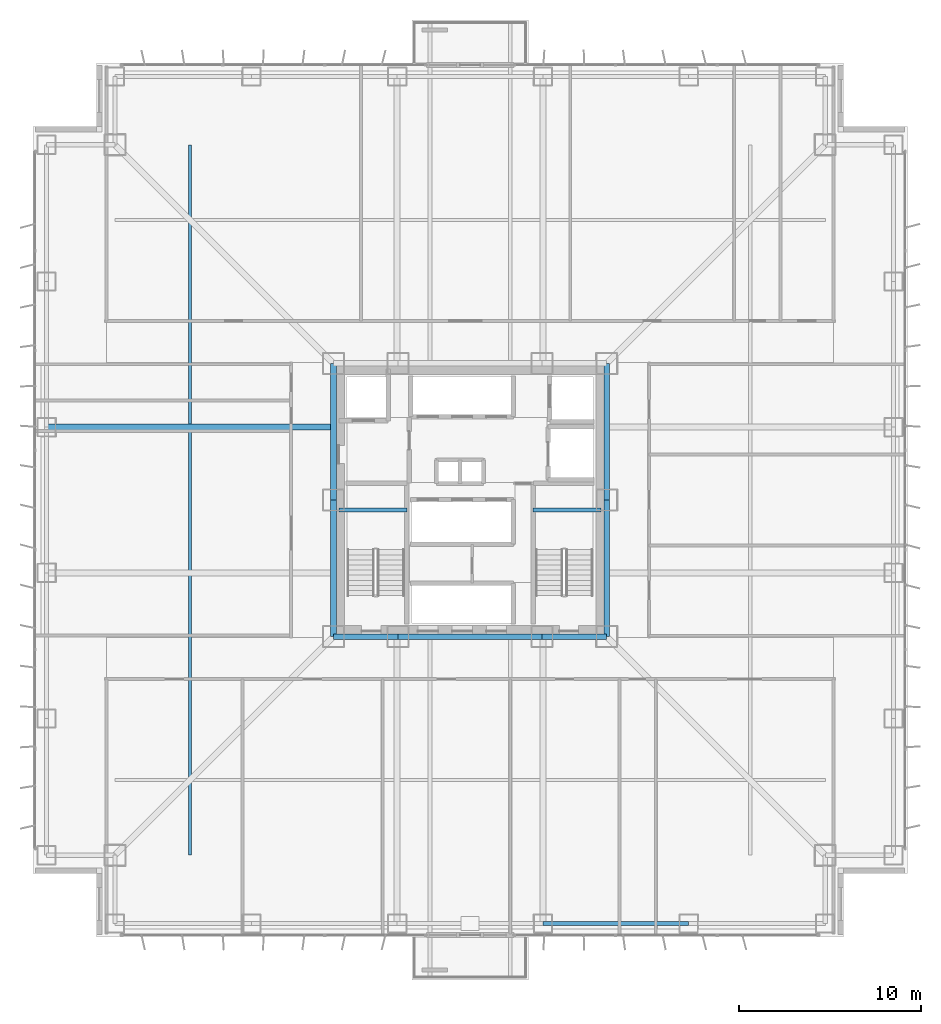
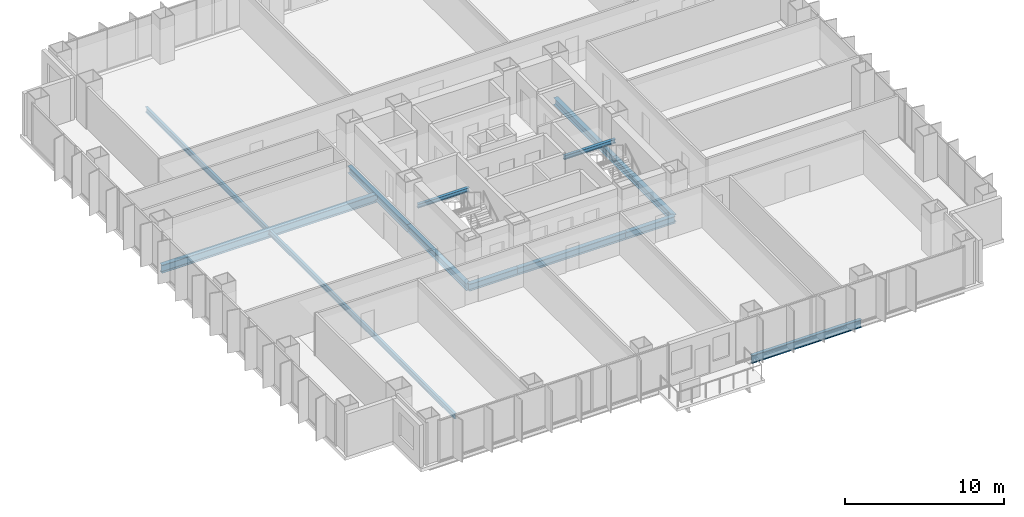
# One storey, part 5 of 21: 12 beams.
"""IFC4 building model written with IfcOpenShell, lengths in metres."""

import ifcopenshell
import ifcopenshell.guid

model = None  # the IFC model being written
_history = None  # IfcOwnerHistory: only IFC2X3 demands one
_inside = {}  # id of a spatial element -> (the spatial element, [elements in it])
_under = {}  # id of a project, library or spatial element -> (it, [spatial elements below it])
_declared = {}  # id of a project -> (the project, [libraries it declares])
_typed = {}  # id of a type object -> (the type object, [elements of that type])
_made_of = {}  # id of a material, layer set ... -> (it, [elements and type objects made of it])


def new_model(schema):
    """Start an empty IFC model of exactly this schema.

    Asked for "IFC4X3", IfcOpenShell would pick the latest addendum, in which some entities
    have other attributes; the version numbers below select the first issue.
    IFC2X3 requires an IfcOwnerHistory on every rooted entity: one is made here for all.
    """
    global model, _history
    if schema == "IFC4X3":
        model = ifcopenshell.file(schema_version=(4, 3, 0, 0))
    else:
        model = ifcopenshell.file(schema=schema)
    _inside.clear()
    _under.clear()
    _declared.clear()
    _typed.clear()
    _made_of.clear()
    _history = None
    if model.schema == "IFC2X3":
        org = make("IfcOrganization", Name="unknown")
        user = make(
            "IfcPersonAndOrganization",
            ThePerson=make("IfcPerson", FamilyName="unknown"),
            TheOrganization=org,
        )
        app = make(
            "IfcApplication",
            ApplicationDeveloper=org,
            Version="unknown",
            ApplicationFullName="unknown",
            ApplicationIdentifier="unknown",
        )
        _history = make(
            "IfcOwnerHistory",
            OwningUser=user,
            OwningApplication=app,
            ChangeAction="ADDED",
            CreationDate=0,
        )
    return model


def make(cls, **values):
    """One entity of the class cls with the attributes given. An attribute that is None is left unset."""
    return model.create_entity(
        cls, **{name: value for name, value in values.items() if value is not None}
    )


def rooted(cls, **values):
    """An entity with a GlobalId (a new one), such as an element, a storey or a relation."""
    return make(cls, GlobalId=ifcopenshell.guid.new(), OwnerHistory=_history, **values)


def si_unit(unit_type, name, prefix=None):
    """IfcSIUnit, for example si_unit("LENGTHUNIT", "METRE", prefix="MILLI")."""
    return make("IfcSIUnit", UnitType=unit_type, Prefix=prefix, Name=name)


def assignment(units):
    """IfcUnitAssignment: the units of a project."""
    return None if units is None else make("IfcUnitAssignment", Units=units)


def point(xyz):
    """IfcCartesianPoint."""
    return None if xyz is None else make("IfcCartesianPoint", Coordinates=xyz)


def direction(xyz):
    """IfcDirection."""
    return None if xyz is None else make("IfcDirection", DirectionRatios=xyz)


def frame(location, z_axis=None, x_axis=None):
    """IfcAxis2Placement3D, a coordinate frame: its origin and axes. An axis left out is left unset."""
    return make(
        "IfcAxis2Placement3D",
        Location=point(location),
        Axis=direction(z_axis),
        RefDirection=direction(x_axis),
    )


def frame_2d(location, x_axis=None):
    """IfcAxis2Placement2D, a coordinate frame in the plane: its origin and x axis."""
    return make(
        "IfcAxis2Placement2D", Location=point(location), RefDirection=direction(x_axis)
    )


def origin():
    """The frame at (0, 0, 0) with its axes left unset."""
    return frame((0.0, 0.0, 0.0))


def origin_2d():
    """The frame at (0, 0) in the plane with its x axis left unset."""
    return frame_2d((0.0, 0.0))


def place(relative_to, where):
    """IfcLocalPlacement: puts the frame where relative to a parent placement (None: the world)."""
    return make(
        "IfcLocalPlacement", PlacementRelTo=relative_to, RelativePlacement=where
    )


def context(
    kind, dimensions, precision=None, world=None, true_north=None, identifier=None
):
    """IfcGeometricRepresentationContext, for example the 3D "Model" context."""
    return make(
        "IfcGeometricRepresentationContext",
        ContextIdentifier=identifier,
        ContextType=kind,
        CoordinateSpaceDimension=dimensions,
        Precision=precision,
        WorldCoordinateSystem=world,
        TrueNorth=true_north,
    )


def subcontext(parent, identifier, kind, view, scale=None):
    """IfcGeometricRepresentationSubContext, for example "Body" below "Model"."""
    return make(
        "IfcGeometricRepresentationSubContext",
        ContextIdentifier=identifier,
        ContextType=kind,
        ParentContext=parent,
        TargetScale=scale,
        TargetView=view,
    )


def project(units=None, contexts=None):
    """IfcProject with its units and contexts."""
    return rooted(
        "IfcProject",
        Name="project",
        RepresentationContexts=contexts,
        UnitsInContext=assignment(units),
    )


def spatial(cls, under=None, at=None, **own):
    """A site, building, storey or space (cls), placed at a placement, below another one or the project."""
    s = rooted(cls, ObjectPlacement=at, **own)
    if under is not None:
        _under.setdefault(under.id(), (under, []))[1].append(s)
    return s


def profile(cls, at=None, kind="AREA", **sizes):
    """A parametric profile (cls). Its sizes go by their IFC names, for example OverallWidth=200.0."""
    return make(cls, ProfileType=kind, Position=at, **sizes)


def i_section(**sizes):
    """IfcIShapeProfileDef."""
    return profile("IfcIShapeProfileDef", **sizes)


def extrude(swept, where, along, depth):
    """IfcExtrudedAreaSolid: the profile swept, set in the frame where, extruded along a direction by depth."""
    return make(
        "IfcExtrudedAreaSolid",
        SweptArea=swept,
        Position=where,
        ExtrudedDirection=direction(along),
        Depth=depth,
    )


def shape(context_of_items, identifier, shape_type, items):
    """IfcShapeRepresentation: the items that make up one representation, for example the "Body"."""
    return make(
        "IfcShapeRepresentation",
        ContextOfItems=context_of_items,
        RepresentationIdentifier=identifier,
        RepresentationType=shape_type,
        Items=items,
    )


def material(Name=None, Category=None):
    """IfcMaterial."""
    return make("IfcMaterial", Name=Name, Category=Category)


def material_profile(
    of_material, cross_section, Name=None, Category=None, Priority=None
):
    """IfcMaterialProfile: a cross section and its material."""
    return make(
        "IfcMaterialProfile",
        Name=Name,
        Material=of_material,
        Profile=cross_section,
        Priority=Priority,
        Category=Category,
    )


def profile_set(profiles, Name=None, composite=None):
    """IfcMaterialProfileSet."""
    return make(
        "IfcMaterialProfileSet",
        Name=Name,
        MaterialProfiles=profiles,
        CompositeProfile=composite,
    )


def made_of(thing, what):
    """Note that an element or type object is made of a material, layer set ...; save() writes the relation."""
    if what is not None:
        _made_of.setdefault(what.id(), (what, []))[1].append(thing)
    return thing


def type_object(cls, material=None, **own):
    """A type object (cls), such as IfcWallType, which elements share."""
    return made_of(rooted(cls, **own), material)


def element(
    cls,
    number,
    at=None,
    inside=None,
    cuts=None,
    type_object=None,
    material=None,
    context=None,
    identifier="Body",
    shape_type=None,
    held_by="IfcProductDefinitionShape",
    body=None,
    shapes=None,
    **own,
):
    """One element of the class cls, such as IfcWall. Its Tag is "e" and its number.

    at: its placement. inside: the storey or other place that contains it. cuts: it is an
    opening in that element (IfcRelVoidsElement). A single representation is given by context,
    identifier, shape_type and body (its items); several are given by shapes. held_by: the class
    of the entity that holds the representations. save() writes the other relations.
    """
    e = rooted(cls, Tag="e%d" % number, ObjectPlacement=at, **own)
    if body is not None:
        shapes = [shape(context, identifier, shape_type, body)]
    if shapes is not None:
        e.Representation = make(held_by, Representations=shapes)
    if inside is not None:
        _inside.setdefault(inside.id(), (inside, []))[1].append(e)
    if cuts is not None:
        rooted(
            "IfcRelVoidsElement", RelatingBuildingElement=cuts, RelatedOpeningElement=e
        )
    if type_object is not None:
        _typed.setdefault(type_object.id(), (type_object, []))[1].append(e)
    return made_of(e, material)


def aggregate(whole, parts):
    """IfcRelAggregates: a whole, such as a stair, and the parts it consists of."""
    return rooted("IfcRelAggregates", RelatingObject=whole, RelatedObjects=parts)


def save(model, path):
    """Write the relations noted so far, then the file.

    IfcRelAggregates (storeys below a building ...), IfcRelContainedInSpatialStructure (elements
    in a storey), IfcRelDefinesByType, IfcRelAssociatesMaterial and IfcRelDeclares: one each for
    every whole, place, type object, material and project.
    """
    for whole, parts in _under.values():
        aggregate(whole, parts)
    for where, things in _inside.values():
        rooted(
            "IfcRelContainedInSpatialStructure",
            RelatedElements=things,
            RelatingStructure=where,
        )
    for kind, things in _typed.values():
        rooted("IfcRelDefinesByType", RelatedObjects=things, RelatingType=kind)
    for what, things in _made_of.values():
        rooted("IfcRelAssociatesMaterial", RelatedObjects=things, RelatingMaterial=what)
    for by, libraries in _declared.values():
        rooted("IfcRelDeclares", RelatingContext=by, RelatedDefinitions=libraries)
    model.write(path)


model = new_model("IFC4")

# Units and contexts
model_context = context("Model", 3, precision=1e-05, world=origin(), true_north=direction((0.0, 1.0)))
body_context = subcontext(model_context, "Body", "Model", "MODEL_VIEW")
ifc_project = project(units=[si_unit("LENGTHUNIT", "METRE"), si_unit("AREAUNIT", "SQUARE_METRE"), si_unit("VOLUMEUNIT", "CUBIC_METRE"), si_unit("PLANEANGLEUNIT", "RADIAN"), si_unit("MASSUNIT", "GRAM", prefix="KILO")], contexts=[model_context])

# Site, building, storey
site_placement = place(None, origin())
site = spatial("IfcSite", under=ifc_project, at=site_placement, CompositionType="ELEMENT")
building_placement = place(site_placement, origin())
building = spatial("IfcBuilding", under=site, at=building_placement, Name="Trevonay Congress Spire", CompositionType="ELEMENT")
storey_placement = place(building_placement, frame((0.0, 0.0, 37.5)))
storey = spatial("IfcBuildingStorey", under=building, at=storey_placement, Name="L08", CompositionType="ELEMENT", Elevation=37.5)

# Beams
ifc_material = material(Name="Steel ASTM A572 Grade 50", Category="steel")
ifc_material_profile_1 = material_profile(ifc_material, i_section(OverallWidth=0.31201171875, OverallDepth=0.54296875, WebThickness=0.0126953125, FlangeThickness=0.020263671875, FilletRadius=0.014892578125, at=origin_2d()), Name="W530x150")
ifc_profile_set_1 = profile_set([ifc_material_profile_1], Name="Steel ASTM A572 Grade 50")
beam_type_1 = type_object("IfcBeamType", Name="BM-GIRD-W530X150", PredefinedType="BEAM", material=ifc_profile_set_1)
beam_1_placement = place(storey_placement, frame((-7.5, -7.5, -0.521484375), z_axis=(1.0, 0.0, 0.0), x_axis=(0.0, 1.0, 0.0)))
element("IfcBeam", 1, at=beam_1_placement, inside=storey, type_object=beam_type_1, Name="L08 structural beam BM-L08-CR-S1", PredefinedType="BEAM", context=body_context, shape_type="SweptSolid", body=[
    extrude(i_section(OverallWidth=0.31201171875, OverallDepth=0.54296875, WebThickness=0.0126953125, FlangeThickness=0.020263671875, FilletRadius=0.014892578125, at=origin_2d()), origin(), (0.0, 0.0, 1.0), 3.550048828125),
])
beam_2_placement = place(storey_placement, frame((-3.949951171875, -7.5, -0.521484375), z_axis=(1.0, 0.0, 0.0), x_axis=(0.0, 1.0, 0.0)))
element("IfcBeam", 2, at=beam_2_placement, inside=storey, type_object=beam_type_1, Name="L08 structural beam BM-L08-CR-S2", PredefinedType="BEAM", context=body_context, shape_type="SweptSolid", body=[
    extrude(i_section(OverallWidth=0.31201171875, OverallDepth=0.54296875, WebThickness=0.0126953125, FlangeThickness=0.020263671875, FilletRadius=0.014892578125, at=origin_2d()), origin(), (0.0, 0.0, 1.0), 7.89990234375),
])
beam_3_placement = place(storey_placement, frame((3.949951171875, -7.5, -0.521484375), z_axis=(1.0, 0.0, 0.0), x_axis=(0.0, 1.0, 0.0)))
element("IfcBeam", 3, at=beam_3_placement, inside=storey, type_object=beam_type_1, Name="L08 structural beam BM-L08-CR-S3", PredefinedType="BEAM", context=body_context, shape_type="SweptSolid", body=[
    extrude(i_section(OverallWidth=0.31201171875, OverallDepth=0.54296875, WebThickness=0.0126953125, FlangeThickness=0.020263671875, FilletRadius=0.014892578125, at=origin_2d()), origin(), (0.0, 0.0, 1.0), 3.550048828125),
])
for number, where, z_axis, x_axis, name in (
    (4, (-7.5, -7.5, -0.521484375), (0.0, 1.0, 0.0), (-1.0, 0.0, 0.0), "L08 structural beam BM-L08-CR-W1"),
    (5, (-7.5, 0.0, -0.521484375), (0.0, 1.0, 0.0), (-1.0, 0.0, 0.0), "L08 structural beam BM-L08-CR-W2"),
    (6, (7.5, -7.5, -0.521484375), (0.0, 1.0, 0.0), (-1.0, 0.0, 0.0), "L08 structural beam BM-L08-CR-E1"),
    (7, (7.5, 0.0, -0.521484375), (0.0, 1.0, 0.0), (-1.0, 0.0, 0.0), "L08 structural beam BM-L08-CR-E2"),
):
    element("IfcBeam", number, at=place(storey_placement, frame(where, z_axis=z_axis, x_axis=x_axis)), inside=storey, type_object=beam_type_1, Name=name, PredefinedType="BEAM", context=body_context, shape_type="SweptSolid", body=[
        extrude(i_section(OverallWidth=0.31201171875, OverallDepth=0.54296875, WebThickness=0.0126953125, FlangeThickness=0.020263671875, FilletRadius=0.014892578125, at=origin_2d()), origin(), (0.0, 0.0, 1.0), 7.5),
    ])
ifc_material_profile_2 = material_profile(ifc_material, i_section(OverallWidth=0.324951171875, OverallDepth=0.615966796875, WebThickness=0.013916015625, FlangeThickness=0.021484375, FilletRadius=0.01806640625, at=origin_2d()), Name="W610x174")
ifc_profile_set_2 = profile_set([ifc_material_profile_2], Name="Steel ASTM A572 Grade 50")
beam_type_2 = type_object("IfcBeamType", Name="BM-GIRD-W610X174", PredefinedType="BEAM", material=ifc_profile_set_2)
beam_4_placement = place(storey_placement, frame((-7.5, 4.0, -0.55810546875), z_axis=(-1.0, 0.0, 0.0), x_axis=(0.0, -1.0, 0.0)))
element("IfcBeam", 8, at=beam_4_placement, inside=storey, type_object=beam_type_2, Name="L08 structural beam BM-L08-GW-P", PredefinedType="BEAM", context=body_context, shape_type="SweptSolid", body=[
    extrude(i_section(OverallWidth=0.324951171875, OverallDepth=0.615966796875, WebThickness=0.013916015625, FlangeThickness=0.021484375, FilletRadius=0.01806640625, at=origin_2d()), origin(), (0.0, 0.0, 1.0), 15.75),
])
ifc_material_profile_3 = material_profile(ifc_material, i_section(OverallWidth=0.22998046875, OverallDepth=0.616943359375, WebThickness=0.01318359375, FlangeThickness=0.022216796875, FilletRadius=0.01611328125, at=origin_2d()), Name="W610x140")
ifc_profile_set_3 = profile_set([ifc_material_profile_3], Name="Steel ASTM A572 Grade 50")
beam_type_3 = type_object("IfcBeamType", Name="BM-RING-W610X140", PredefinedType="BEAM", material=ifc_profile_set_3)
beam_5_placement = place(storey_placement, frame((4.0, -23.25, -0.55859375), z_axis=(1.0, 0.0, 0.0), x_axis=(0.0, 1.0, 0.0)))
element("IfcBeam", 9, at=beam_5_placement, inside=storey, type_object=beam_type_3, Name="L08 structural beam BM-L08-PS4", PredefinedType="BEAM", context=body_context, shape_type="SweptSolid", body=[
    extrude(i_section(OverallWidth=0.22998046875, OverallDepth=0.616943359375, WebThickness=0.01318359375, FlangeThickness=0.022216796875, FilletRadius=0.01611328125, at=origin_2d()), origin(), (0.0, 0.0, 1.0), 8.0),
])
ifc_material_profile_4 = material_profile(ifc_material, i_section(OverallWidth=0.177978515625, OverallDepth=0.406982421875, WebThickness=0.0078125, FlangeThickness=0.0126953125, FilletRadius=0.012939453125, at=origin_2d()), Name="W410x60")
ifc_profile_set_4 = profile_set([ifc_material_profile_4], Name="Steel ASTM A572 Grade 50")
beam_type_4 = type_object("IfcBeamType", Name="JS-COMP-W410X60", PredefinedType="JOIST", material=ifc_profile_set_4)
beam_6_placement = place(storey_placement, frame((-15.375, -19.5, -0.45361328125), z_axis=(0.0, 1.0, 0.0), x_axis=(-1.0, 0.0, 0.0)))
element("IfcBeam", 10, at=beam_6_placement, inside=storey, type_object=beam_type_4, Name="L08 structural beam JS-L08-RING-W", PredefinedType="JOIST", context=body_context, shape_type="SweptSolid", body=[
    extrude(i_section(OverallWidth=0.177978515625, OverallDepth=0.406982421875, WebThickness=0.0078125, FlangeThickness=0.0126953125, FilletRadius=0.012939453125, at=origin_2d()), origin(), (0.0, 0.0, 1.0), 39.0),
])
ifc_material_profile_5 = material_profile(ifc_material, i_section(OverallWidth=0.2041015625, OverallDepth=0.305908203125, WebThickness=0.008544921875, FlangeThickness=0.0146484375, FilletRadius=0.010986328125, at=origin_2d()), Name="W310x67")
ifc_profile_set_5 = profile_set([ifc_material_profile_5], Name="Steel ASTM A572 Grade 50")
beam_type_5 = type_object("IfcBeamType", Name="LN-CORE-W310X67", PredefinedType="LINTEL", material=ifc_profile_set_5)
for number, where, z_axis, x_axis, name in (
    (11, (-7.199951171875, -0.550048828125, 1.39697265625), (1.0, 0.0, 0.0), (0.0, 1.0, 0.0), "L08 structural beam BM-L08-HL-ST1"),
    (12, (3.449951171875, -0.550048828125, 1.39697265625), (1.0, 0.0, 0.0), (0.0, 1.0, 0.0), "L08 structural beam BM-L08-HL-ST2"),
):
    element("IfcBeam", number, at=place(storey_placement, frame(where, z_axis=z_axis, x_axis=x_axis)), inside=storey, type_object=beam_type_5, Name=name, PredefinedType="LINTEL", context=body_context, shape_type="SweptSolid", body=[
        extrude(i_section(OverallWidth=0.2041015625, OverallDepth=0.305908203125, WebThickness=0.008544921875, FlangeThickness=0.0146484375, FilletRadius=0.010986328125, at=origin_2d()), origin(), (0.0, 0.0, 1.0), 3.75),
    ])

save(model, "model.ifc")
